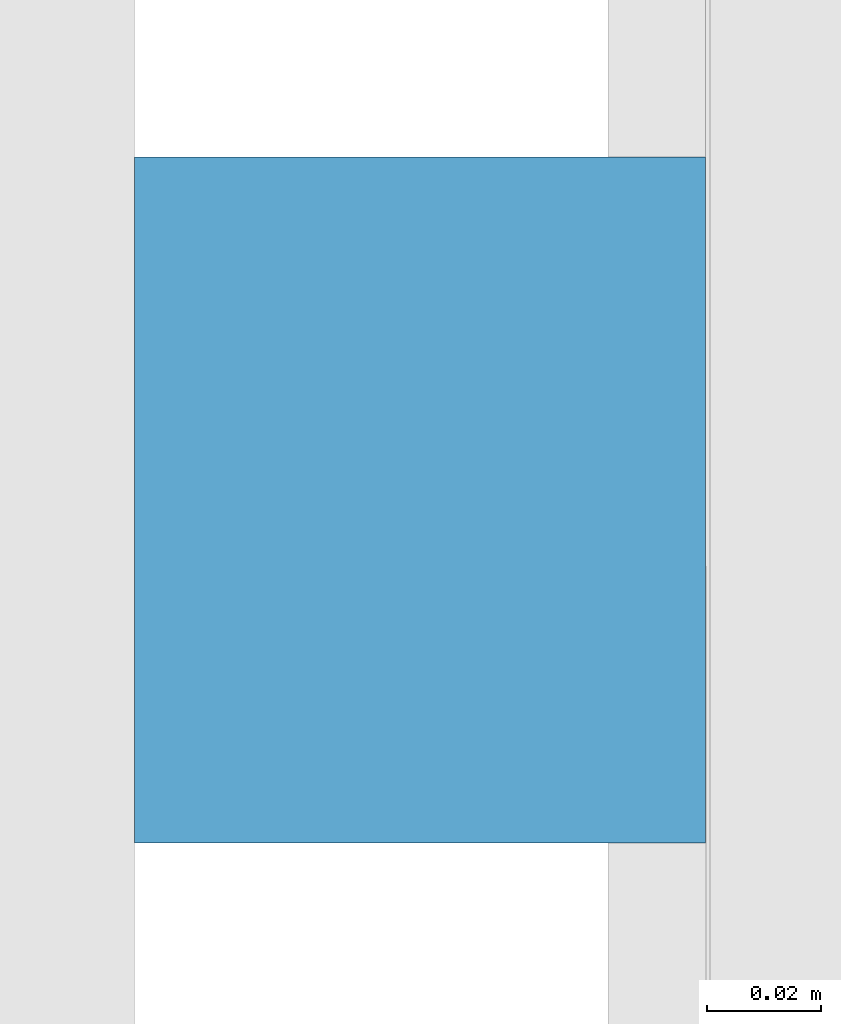
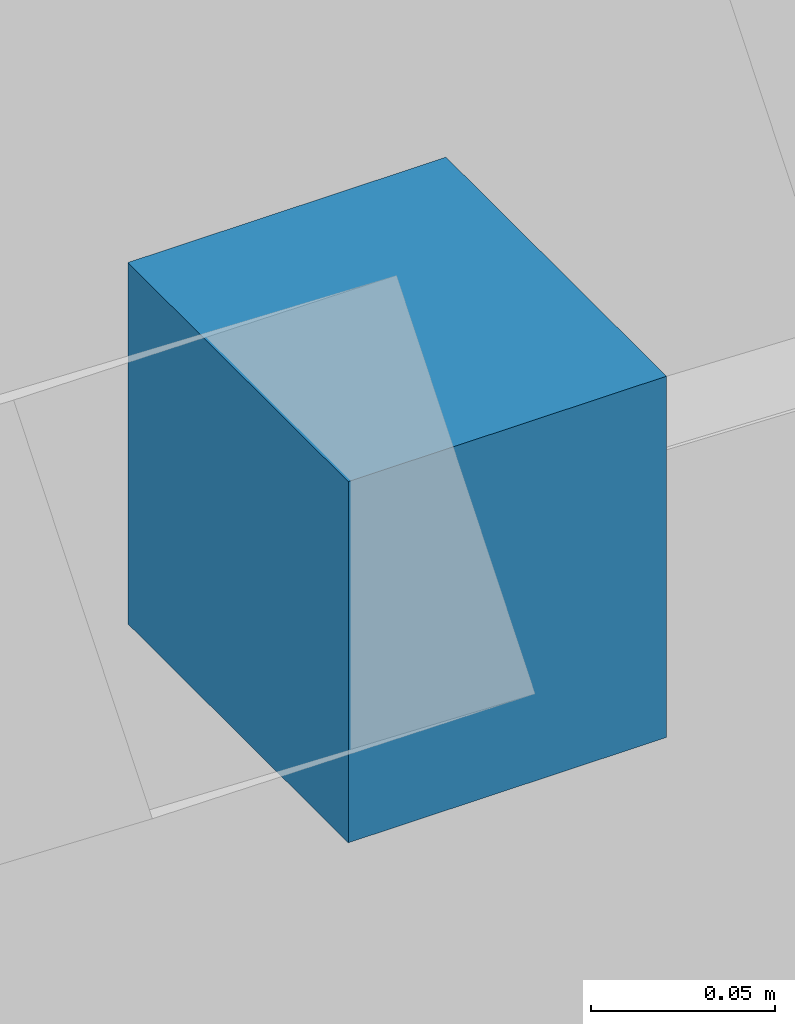
# One storey, part 26 of 29: 1 discrete accessory.
"""IFC4 building model written with IfcOpenShell, lengths in metres."""

from ifc_helpers import new_model, si_unit, direction, frame, origin, origin_2d, place, context, subcontext, project, spatial, rectangle, extrude, material, type_object, element, save


model = new_model("IFC4")

# Units and contexts
model_context = context("Model", 3, precision=1e-05, world=origin(), true_north=direction((0.0, 1.0)))
body_context = subcontext(model_context, "Body", "Model", "MODEL_VIEW")
ifc_project = project(units=[si_unit("LENGTHUNIT", "METRE"), si_unit("AREAUNIT", "SQUARE_METRE"), si_unit("VOLUMEUNIT", "CUBIC_METRE"), si_unit("PLANEANGLEUNIT", "RADIAN"), si_unit("MASSUNIT", "GRAM", prefix="KILO")], contexts=[model_context])

# Site, building, storey
site_placement = place(None, origin())
site = spatial("IfcSite", under=ifc_project, at=site_placement, CompositionType="ELEMENT")
building_placement = place(site_placement, origin())
building = spatial("IfcBuilding", under=site, at=building_placement, Name="Crosswind Convention Tower", CompositionType="ELEMENT")
storey_placement = place(building_placement, frame((0.0, 0.0, 53.5)))
storey = spatial("IfcBuildingStorey", under=building, at=storey_placement, Name="L07", CompositionType="ELEMENT", Elevation=53.5)

# Discrete accessory
ifc_material = material(Name="Stainless steel", Category="steel")
discrete_accessory_type = type_object("IfcDiscreteAccessoryType", Name="BAGUETTE BRACKET BK2", PredefinedType="BRACKET", material=ifc_material)
discrete_accessory_placement = place(storey_placement, frame((88.092041015625, 110.333740234375, 1.4775390625), z_axis=(0.0, 0.0, 1.0), x_axis=(0.0, -1.0, 0.0)))
element("IfcDiscreteAccessory", 1, at=discrete_accessory_placement, inside=storey, type_object=discrete_accessory_type, Name="BK2 baguette bracket", PredefinedType="BRACKET", context=body_context, shape_type="SweptSolid", body=[
    extrude(rectangle(XDim=0.1201171875, YDim=0.10009765625, at=origin_2d()), origin(), (0.0, 0.0, 1.0), 0.1201171875),
])

save(model, "model.ifc")
